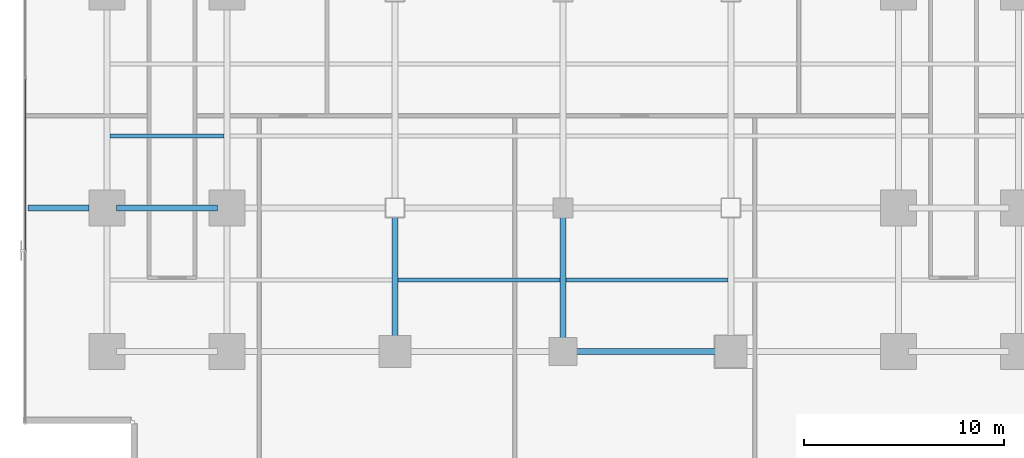
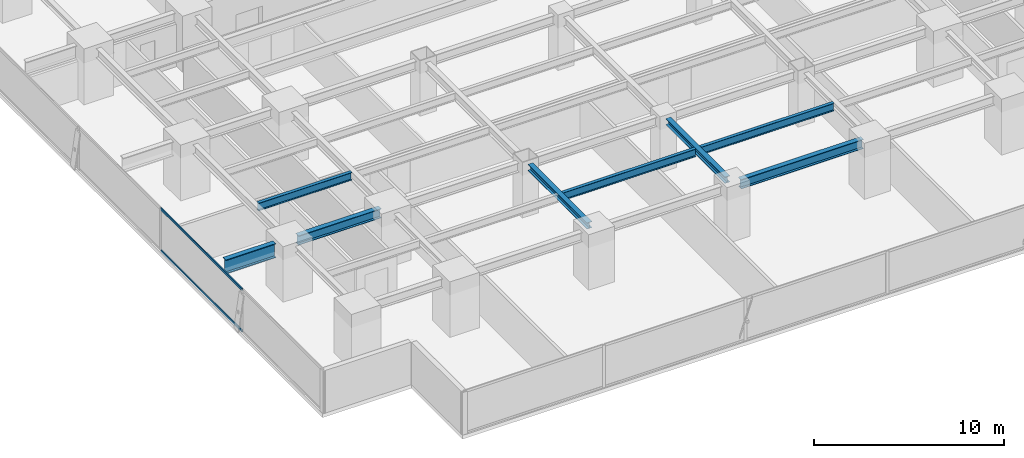
# One storey, part 6 of 33: 8 beams, 2 members, 1 element without a shape of its own.
"""IFC4 building model written with IfcOpenShell, lengths in metres."""

from ifc_helpers import new_model, si_unit, direction, frame, origin, origin_2d, place, context, subcontext, project, spatial, hollow_rectangle, i_section, extrude, source, transform, mapped, material, layer, layer_set, material_profile, profile_set, type_object, element, aggregate, save


model = new_model("IFC4")

# Units and contexts
model_context = context("Model", 3, precision=1e-05, world=origin(), true_north=direction((0.0, 1.0)))
body_context = subcontext(model_context, "Body", "Model", "MODEL_VIEW")
ifc_project = project(units=[si_unit("LENGTHUNIT", "METRE"), si_unit("AREAUNIT", "SQUARE_METRE"), si_unit("VOLUMEUNIT", "CUBIC_METRE"), si_unit("PLANEANGLEUNIT", "RADIAN"), si_unit("MASSUNIT", "GRAM", prefix="KILO")], contexts=[model_context])

# Site, building, storey
site_placement = place(None, origin())
site = spatial("IfcSite", under=ifc_project, at=site_placement, CompositionType="ELEMENT")
building_placement = place(site_placement, origin())
building = spatial("IfcBuilding", under=site, at=building_placement, Name="Sumidabori Civic Tower", CompositionType="ELEMENT")
storey_placement = place(building_placement, frame((0.0, 0.0, 63.199951171875)))
storey = spatial("IfcBuildingStorey", under=building, at=storey_placement, Name="L16", CompositionType="ELEMENT", Elevation=63.199951171875)

# Beams
ifc_material_1 = material(Name="Steel SN490", Category="steel")
ifc_material_profile_1 = material_profile(ifc_material_1, i_section(OverallWidth=0.300048828125, OverallDepth=0.60009765625, WebThickness=0.015380859375, FlangeThickness=0.030029296875, at=origin_2d()), Name="HE 600 B")
ifc_profile_set_1 = profile_set([ifc_material_profile_1], Name="Steel SN490")
beam_type_1 = type_object("IfcBeamType", Name="BM-GIRD-600", PredefinedType="BEAM", material=ifc_profile_set_1)
shared_shape_1 = source(origin(), body_context, "Body", "SweptSolid", [
    extrude(i_section(OverallWidth=0.300048828125, OverallDepth=0.60009765625, WebThickness=0.015380859375, FlangeThickness=0.030029296875, at=origin_2d()), origin(), (0.0, 0.0, 1.0), 5.0400390625),
])
beam_1_placement = place(storey_placement, frame((-22.320068359375, -10.800048828125, 3.06005859375), z_axis=(1.0, 0.0, 0.0), x_axis=(0.0, 1.0, 0.0)))
element("IfcBeam", 1, at=beam_1_placement, inside=storey, type_object=beam_type_1, Name="Primary Girder L16 GX-07", PredefinedType="BEAM", context=body_context, shape_type="MappedRepresentation", body=[
    mapped(shared_shape_1, transform((0.0, 0.0, 0.0), x_axis=(1.0, 0.0, 0.0), y_axis=(0.0, 1.0, 0.0), z_axis=(0.0, 0.0, 1.0), scale=1.0)),
])
shared_shape_2 = source(origin(), body_context, "Body", "SweptSolid", [
    extrude(i_section(OverallWidth=0.300048828125, OverallDepth=0.60009765625, WebThickness=0.015380859375, FlangeThickness=0.030029296875, at=origin_2d()), origin(), (0.0, 0.0, 1.0), 7.43994140625),
])
beam_2_placement = place(storey_placement, frame((0.47998046875, -18.0, 3.06005859375), z_axis=(1.0, 0.0, 0.0), x_axis=(0.0, 1.0, 0.0)))
element("IfcBeam", 2, at=beam_2_placement, inside=storey, type_object=beam_type_1, Name="Primary Girder L16 GX-04", PredefinedType="BEAM", context=body_context, shape_type="MappedRepresentation", body=[
    mapped(shared_shape_2, transform((0.0, 0.0, 0.0), x_axis=(1.0, 0.0, 0.0), y_axis=(0.0, 1.0, 0.0), z_axis=(0.0, 0.0, 1.0), scale=1.0)),
])
ifc_material_profile_2 = material_profile(ifc_material_1, i_section(OverallWidth=0.300048828125, OverallDepth=0.39990234375, WebThickness=0.013427734375, FlangeThickness=0.02392578125, at=origin_2d()), Name="HE 400 B")
ifc_profile_set_2 = profile_set([ifc_material_profile_2], Name="Steel SN490")
beam_type_2 = type_object("IfcBeamType", Name="BM-GIRD-400", PredefinedType="BEAM", material=ifc_profile_set_2)
shared_shape_3 = source(origin(), body_context, "Body", "SweptSolid", [
    extrude(i_section(OverallWidth=0.300048828125, OverallDepth=0.39990234375, WebThickness=0.013427734375, FlangeThickness=0.02392578125, at=origin_2d()), origin(), (0.0, 0.0, 1.0), 6.239990234375),
])
for number, where, z_axis, x_axis, name in (
    (3, (-8.39990234375, -17.52001953125, 3.16015625), (0.0, 1.0, 0.0), (-1.0, 0.0, 0.0), "Primary Girder L16 GY-29"),
    (4, (0.0, -17.52001953125, 3.16015625), (0.0, 1.0, 0.0), (-1.0, 0.0, 0.0), "Primary Girder L16 GY-31"),
):
    element("IfcBeam", number, at=place(storey_placement, frame(where, z_axis=z_axis, x_axis=x_axis)), inside=storey, type_object=beam_type_2, Name=name, PredefinedType="BEAM", context=body_context, shape_type="MappedRepresentation", body=[
        mapped(shared_shape_3, transform((0.0, 0.0, 0.0), x_axis=(1.0, 0.0, 0.0), y_axis=(0.0, 1.0, 0.0), z_axis=(0.0, 0.0, 1.0), scale=1.0)),
    ])
ifc_material_profile_3 = material_profile(ifc_material_1, i_section(OverallWidth=0.302001953125, OverallDepth=0.909912109375, WebThickness=0.02099609375, FlangeThickness=0.0400390625, at=origin_2d()), Name="HE 900 M")
ifc_profile_set_3 = profile_set([ifc_material_profile_3], Name="Steel SN490")
beam_type_3 = type_object("IfcBeamType", Name="BM-Z1-EDGE", PredefinedType="SPANDREL", material=ifc_profile_set_3)
shared_shape_4 = source(origin(), body_context, "Body", "SweptSolid", [
    extrude(i_section(OverallWidth=0.302001953125, OverallDepth=0.909912109375, WebThickness=0.02099609375, FlangeThickness=0.0400390625, at=origin_2d()), origin(), (0.0, 0.0, 1.0), 3.050048828125),
])
beam_3_placement = place(storey_placement, frame((-26.75, -10.800048828125, 2.905029296875), z_axis=(1.0, 0.0, 0.0), x_axis=(0.0, 1.0, 0.0)))
element("IfcBeam", 5, at=beam_3_placement, inside=storey, type_object=beam_type_3, Name="Perimeter Overhang Beam L16 W-44", PredefinedType="SPANDREL", context=body_context, shape_type="MappedRepresentation", body=[
    mapped(shared_shape_4, transform((0.0, 0.0, 0.0), x_axis=(1.0, 0.0, 0.0), y_axis=(0.0, 1.0, 0.0), z_axis=(0.0, 0.0, 1.0), scale=1.0)),
])
ifc_material_profile_4 = material_profile(ifc_material_1, i_section(OverallWidth=0.199951171875, OverallDepth=0.5, WebThickness=0.01025390625, FlangeThickness=0.01611328125, at=origin_2d()), Name="IPE 500")
ifc_profile_set_4 = profile_set([ifc_material_profile_4], Name="Steel SN490")
beam_type_4 = type_object("IfcBeamType", Name="BM-JST-500", PredefinedType="JOIST", material=ifc_profile_set_4)
shared_shape_5 = source(origin(), body_context, "Body", "SweptSolid", [
    extrude(i_section(OverallWidth=0.199951171875, OverallDepth=0.5, WebThickness=0.01025390625, FlangeThickness=0.01611328125, at=origin_2d()), origin(), (0.0, 0.0, 1.0), 5.699951171875),
])
beam_4_placement = place(storey_placement, frame((-22.64990234375, -7.199951171875, 3.110107421875), z_axis=(1.0, 0.0, 0.0), x_axis=(0.0, 1.0, 0.0)))
element("IfcBeam", 6, at=beam_4_placement, inside=storey, type_object=beam_type_4, Name="Outer Bay Floor Joist L16 JSTO-49", PredefinedType="JOIST", context=body_context, shape_type="MappedRepresentation", body=[
    mapped(shared_shape_5, transform((0.0, 0.0, 0.0), x_axis=(1.0, 0.0, 0.0), y_axis=(0.0, 1.0, 0.0), z_axis=(0.0, 0.0, 1.0), scale=1.0)),
])
shared_shape_6 = source(origin(), body_context, "Body", "SweptSolid", [
    extrude(i_section(OverallWidth=0.199951171875, OverallDepth=0.5, WebThickness=0.01025390625, FlangeThickness=0.01611328125, at=origin_2d()), origin(), (0.0, 0.0, 1.0), 8.10009765625),
])
for number, where, z_axis, x_axis, name in (
    (7, (-8.25, -14.39990234375, 3.110107421875), (1.0, 0.0, 0.0), (0.0, 1.0, 0.0), "South Bay Floor Joist L16 JSTS-62"),
    (8, (0.14990234375, -14.39990234375, 3.110107421875), (1.0, 0.0, 0.0), (0.0, 1.0, 0.0), "South Bay Floor Joist L16 JSTS-63"),
):
    element("IfcBeam", number, at=place(storey_placement, frame(where, z_axis=z_axis, x_axis=x_axis)), inside=storey, type_object=beam_type_4, Name=name, PredefinedType="JOIST", context=body_context, shape_type="MappedRepresentation", body=[
        mapped(shared_shape_6, transform((0.0, 0.0, 0.0), x_axis=(1.0, 0.0, 0.0), y_axis=(0.0, 1.0, 0.0), z_axis=(0.0, 0.0, 1.0), scale=1.0)),
    ])

# Curtain wall, members
ifc_material_2 = material(Name="Anodised Bronze Aluminium AW-6063-T6", Category="aluminium")
ifc_layer = layer(ifc_material_2, 0.179931640625, Name="Anodised Bronze Aluminium AW-6063-T6")
ifc_layer_set = layer_set([ifc_layer], Name="Anodised Bronze Aluminium AW-6063-T6")
curtain_wall_type = type_object("IfcCurtainWallType", Name="CW-SYS-2", PredefinedType="NOTDEFINED", material=ifc_layer_set)
curtain_wall_placement = place(storey_placement, origin())
curtain_wall = element("IfcCurtainWall", 9, at=curtain_wall_placement, inside=storey, type_object=curtain_wall_type, Name="Curtain Wall CW:L16:R10", PredefinedType="NOTDEFINED")
ifc_material_profile_5 = material_profile(ifc_material_2, hollow_rectangle(XDim=0.06494140625, YDim=0.14990234375, WallThickness=0.0048828125, at=origin_2d()), Name="ALU TRANSOM 150x65")
ifc_profile_set_5 = profile_set([ifc_material_profile_5], Name="Anodised Bronze Aluminium AW-6063-T6")
member_type = type_object("IfcMemberType", Name="CW-TRN-150", PredefinedType="USERDEFINED", material=ifc_profile_set_5)
shared_shape_7 = source(origin(), body_context, "Body", "SweptSolid", [
    extrude(hollow_rectangle(XDim=0.06494140625, YDim=0.14990234375, WallThickness=0.0048828125, at=origin_2d()), origin(), (0.0, 0.0, 1.0), 8.557861328125),
])
member_1_placement = place(storey_placement, frame((-26.8798828125, -4.34912109375, 0.032470703125), z_axis=(0.0, -1.0, 0.0), x_axis=(1.0, 0.0, 0.0)))
member_1 = element("IfcMember", 10, at=member_1_placement, type_object=member_type, Name="CW-2 transom 4.1", ObjectType="TRANSOM", PredefinedType="USERDEFINED", context=body_context, shape_type="MappedRepresentation", body=[
    mapped(shared_shape_7, transform((0.0, 0.0, 0.0), x_axis=(1.0, 0.0, 0.0), y_axis=(0.0, 1.0, 0.0), z_axis=(0.0, 0.0, 1.0), scale=1.0)),
])
member_2_placement = place(storey_placement, frame((-26.8798828125, -4.34912109375, 2.70751953125), z_axis=(0.0, -1.0, 0.0), x_axis=(1.0, 0.0, 0.0)))
member_2 = element("IfcMember", 11, at=member_2_placement, type_object=member_type, Name="CW-2 transom 4.2", ObjectType="TRANSOM", PredefinedType="USERDEFINED", context=body_context, shape_type="MappedRepresentation", body=[
    mapped(shared_shape_7, transform((0.0, 0.0, 0.0), x_axis=(1.0, 0.0, 0.0), y_axis=(0.0, 1.0, 0.0), z_axis=(0.0, 0.0, 1.0), scale=1.0)),
])
aggregate(curtain_wall, [member_1, member_2])

save(model, "model.ifc")
